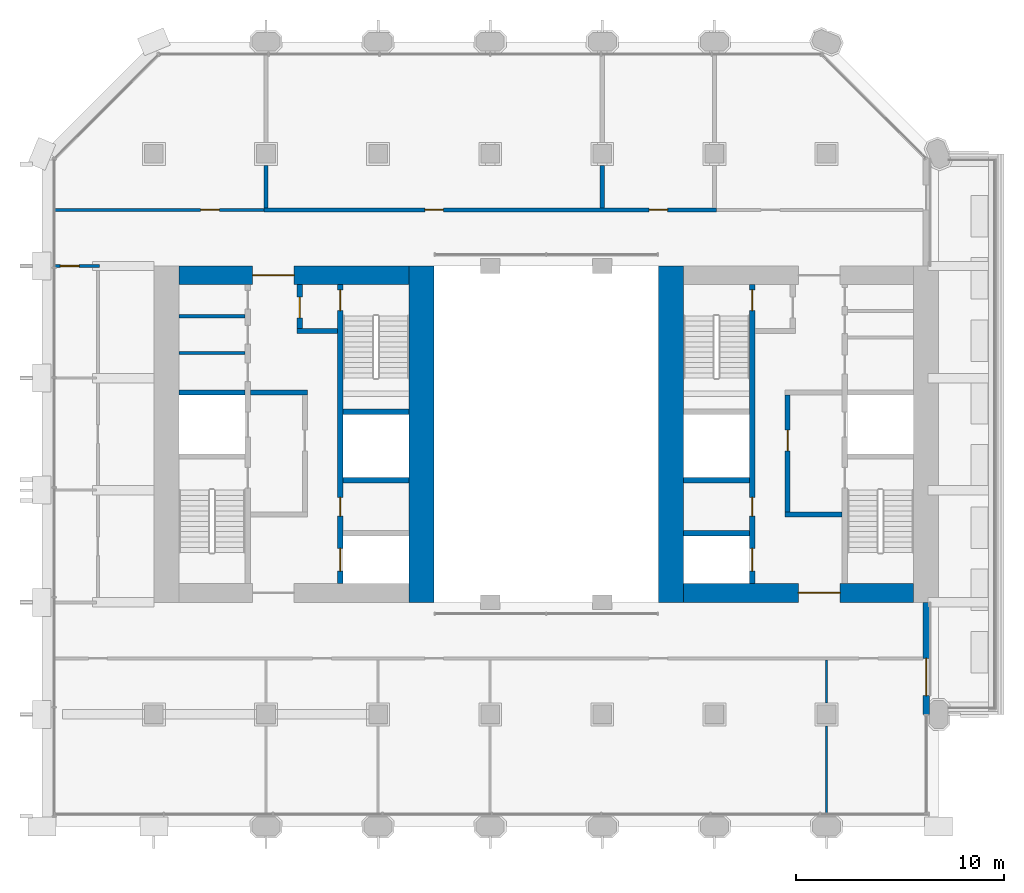
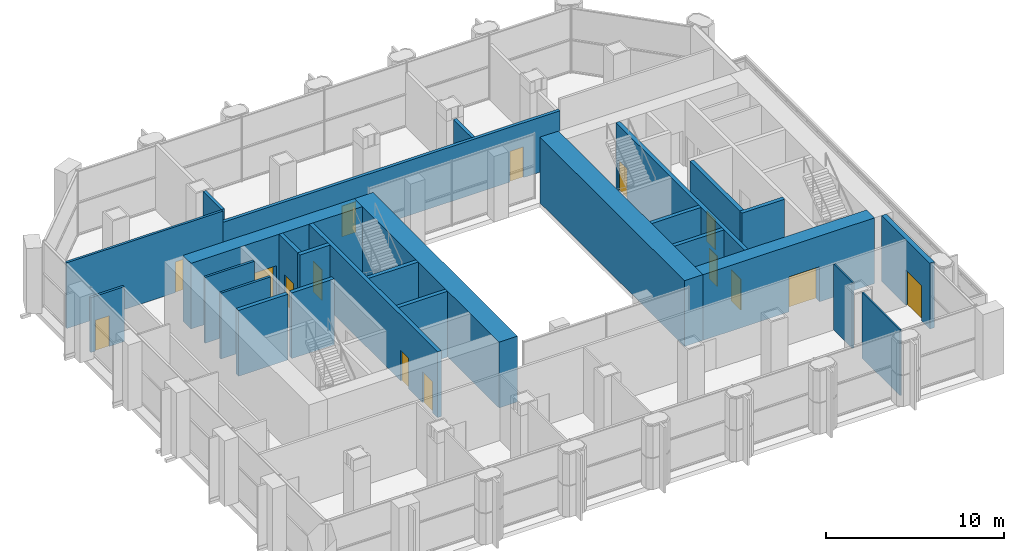
# One storey, part 11 of 15: 26 walls, 15 doors, 15 openings.
"""IFC4 building model written with IfcOpenShell, lengths in metres."""

from ifc_helpers import new_model, si_unit, direction, frame, frame_2d, origin, place, context, subcontext, project, spatial, rectangle, extrude, material, layer, layer_set, type_object, element, fill, save


model = new_model("IFC4")

# Units and contexts
model_context = context("Model", 3, precision=1e-05, world=origin(), true_north=direction((0.0, 1.0)))
body_context = subcontext(model_context, "Body", "Model", "MODEL_VIEW")
ifc_project = project(units=[si_unit("LENGTHUNIT", "METRE"), si_unit("AREAUNIT", "SQUARE_METRE"), si_unit("VOLUMEUNIT", "CUBIC_METRE"), si_unit("PLANEANGLEUNIT", "RADIAN"), si_unit("MASSUNIT", "GRAM", prefix="KILO")], contexts=[model_context])

# Site, building, storey
site_placement = place(None, origin())
site = spatial("IfcSite", under=ifc_project, at=site_placement, CompositionType="ELEMENT")
building_placement = place(site_placement, origin())
building = spatial("IfcBuilding", under=site, at=building_placement, Name="Tabaq Tower and Sports Hall", CompositionType="ELEMENT")
storey_placement = place(building_placement, frame((0.0, 0.0, 143.199951171875)))
storey = spatial("IfcBuildingStorey", under=building, at=storey_placement, Name="L33", CompositionType="ELEMENT", Elevation=143.199951171875)

# Walls
ifc_material_1 = material(Name="Blockwork", Category="masonry")
ifc_layer_1 = layer(ifc_material_1, 0.14990234375)
ifc_layer_set_1 = layer_set([ifc_layer_1], Name="Core room partition 150 Blockwork")
wall_type_1 = type_object("IfcWallType", Name="Core room partition 150 Blockwork", PredefinedType="PARTITIONING", material=ifc_layer_set_1)
for number, where, z_axis, x_axis, name in (
    (1, (6.60009765625, 28.200927734375, 0.0), (0.0, 0.0, 1.0), (1.0, 0.0, 0.0), "Core room partition W L33"),
    (2, (6.60009765625, 29.97705078125, 0.0), (0.0, 0.0, 1.0), (1.0, 0.0, 0.0), "Core room partition W L33"),
):
    element("IfcWall", number, at=place(storey_placement, frame(where, z_axis=z_axis, x_axis=x_axis)), inside=storey, type_object=wall_type_1, Name=name, PredefinedType="PARTITIONING", context=body_context, shape_type="SweptSolid", body=[
        extrude(rectangle(XDim=3.199951171875, YDim=0.14990234375, at=frame_2d((1.60009765625, 0.0))), origin(), (0.0, 0.0, 1.0), 4.5),
    ])
ifc_material_2 = material(Name="Concrete C50/60", Category="concrete")
ifc_layer_2 = layer(ifc_material_2, 1.199951171875)
ifc_layer_set_2 = layer_set([ifc_layer_2], Name="Core wall 1200 Concrete C50/60")
wall_type_2 = type_object("IfcWallType", Name="Core wall 1200 Concrete C50/60", PredefinedType="SOLIDWALL", material=ifc_layer_set_2)
for number, where, z_axis, x_axis, name in (
    (3, (18.300048828125, 32.39990234375, 0.0), (0.0, 0.0, 1.0), (0.0, -1.0, 0.0), "Core wall W L33"),
    (4, (30.300048828125, 16.199951171875, 0.0), (0.0, 0.0, 1.0), (0.0, 1.0, 0.0), "Core wall E L33"),
):
    element("IfcWall", number, at=place(storey_placement, frame(where, z_axis=z_axis, x_axis=x_axis)), inside=storey, type_object=wall_type_2, Name=name, PredefinedType="SOLIDWALL", context=body_context, shape_type="SweptSolid", body=[
        extrude(rectangle(XDim=16.199951171875, YDim=1.199951171875, at=frame_2d((8.10009765625, 0.0))), origin(), (0.0, 0.0, 1.0), 4.5),
    ])

# Wall, opening, door
ifc_material_3 = material(Name="Concrete C50/60", Category="concrete")
ifc_layer_3 = layer(ifc_material_3, 0.89990234375)
ifc_layer_set_3 = layer_set([ifc_layer_3], Name="Core wall 900 Concrete C50/60")
wall_type_3 = type_object("IfcWallType", Name="Core wall 900 Concrete C50/60", PredefinedType="SOLIDWALL", material=ifc_layer_set_3)
wall_1_placement = place(storey_placement, frame((6.60009765625, 31.949951171875, 0.0), z_axis=(0.0, 0.0, 1.0), x_axis=(1.0, 0.0, 0.0)))
wall_1 = element("IfcWall", 5, at=wall_1_placement, inside=storey, type_object=wall_type_3, Name="Core wall W L33", PredefinedType="SOLIDWALL", context=body_context, shape_type="SweptSolid", body=[
    extrude(rectangle(XDim=11.099853515625, YDim=0.89990234375, at=frame_2d((5.5498046875, 0.0))), origin(), (0.0, 0.0, 1.0), 4.5),
])
opening_1_placement = place(wall_1_placement, frame((3.550048828125, 0.0, 0.0)))
opening_1 = element("IfcOpeningElement", 6, at=opening_1_placement, cuts=wall_1, Name="Opening PD-WL33-02", PredefinedType="OPENING", context=body_context, shape_type="SweptSolid", body=[
    extrude(rectangle(XDim=2.0, YDim=2.39990234375, at=frame_2d((1.0, 1.199951171875))), frame((0.0, 0.449951171875, 0.0), z_axis=(0.0, -1.0, 0.0), x_axis=(1.0, 0.0, 0.0)), (0.0, 0.0, 1.0), 0.89990234375),
])
ifc_material_4 = material(Name="Steel fire door", Category="steel")
door_type_1 = type_object("IfcDoorType", Name="Core entrance door 2000", OperationType="DOUBLE_DOOR_SINGLE_SWING", PredefinedType="DOOR", material=ifc_material_4)
door_1_placement = place(opening_1_placement, origin())
door_1 = element("IfcDoor", 7, at=door_1_placement, inside=storey, type_object=door_type_1, Name="Core entrance north W L33", OperationType="DOUBLE_DOOR_SINGLE_SWING", OverallHeight=2.39990234375, OverallWidth=2.0, PredefinedType="DOOR", context=body_context, shape_type="SweptSolid", body=[
    extrude(rectangle(XDim=2.0, YDim=2.39990234375, at=frame_2d((1.0, 1.199951171875))), frame((0.0, 0.02490234375, 0.0), z_axis=(0.0, -1.0, 0.0), x_axis=(1.0, 0.0, 0.0)), (0.0, 0.0, 1.0), 0.050048828125),
])
fill(opening_1, door_1)

wall_2_placement = place(storey_placement, frame((42.0, 16.64990234375, 0.0), z_axis=(0.0, 0.0, 1.0), x_axis=(-1.0, 0.0, 0.0)))
wall_2 = element("IfcWall", 8, at=wall_2_placement, inside=storey, type_object=wall_type_3, Name="Core wall E L33", PredefinedType="SOLIDWALL", context=body_context, shape_type="SweptSolid", body=[
    extrude(rectangle(XDim=11.10009765625, YDim=0.89990234375, at=frame_2d((5.550048828125, 0.0))), origin(), (0.0, 0.0, 1.0), 4.5),
])
opening_2_placement = place(wall_2_placement, frame((3.550048828125, 0.0, 0.0)))
opening_2 = element("IfcOpeningElement", 9, at=opening_2_placement, cuts=wall_2, Name="Opening PD-EL33-01", PredefinedType="OPENING", context=body_context, shape_type="SweptSolid", body=[
    extrude(rectangle(XDim=2.0, YDim=2.39990234375, at=frame_2d((1.0, 1.199951171875))), frame((0.0, 0.449951171875, 0.0), z_axis=(0.0, -1.0, 0.0), x_axis=(1.0, 0.0, 0.0)), (0.0, 0.0, 1.0), 0.89990234375),
])
door_2_placement = place(opening_2_placement, origin())
door_2 = element("IfcDoor", 10, at=door_2_placement, inside=storey, type_object=door_type_1, Name="Core entrance south E L33", OperationType="DOUBLE_DOOR_SINGLE_SWING", OverallHeight=2.39990234375, OverallWidth=2.0, PredefinedType="DOOR", context=body_context, shape_type="SweptSolid", body=[
    extrude(rectangle(XDim=2.0, YDim=2.39990234375, at=frame_2d((1.0, 1.199951171875))), frame((0.0, 0.02490234375, 0.0), z_axis=(0.0, -1.0, 0.0), x_axis=(1.0, 0.0, 0.0)), (0.0, 0.0, 1.0), 0.050048828125),
])
fill(opening_2, door_2)

# Wall, openings, doors
ifc_material_5 = material(Name="Blockwork", Category="masonry")
ifc_layer_4 = layer(ifc_material_5, 0.199951171875)
ifc_layer_set_4 = layer_set([ifc_layer_4], Name="Fire compartment wall 200 Blockwork")
wall_type_4 = type_object("IfcWallType", Name="Fire compartment wall 200 Blockwork", PredefinedType="PARTITIONING", material=ifc_layer_set_4)
wall_3_placement = place(storey_placement, frame((32.5, 35.10009765625, 0.0), z_axis=(0.0, 0.0, 1.0), x_axis=(-1.0, 0.0, 0.0)))
wall_3 = element("IfcWall", 11, at=wall_3_placement, inside=storey, type_object=wall_type_4, Name="Compartment wall L33", PredefinedType="PARTITIONING", context=body_context, shape_type="SweptSolid", body=[
    extrude(rectangle(XDim=21.800048828125, YDim=0.199951171875, at=frame_2d((10.89990234375, 0.0))), origin(), (0.0, 0.0, 1.0), 3.75),
])
opening_3_placement = place(wall_3_placement, frame((13.14990234375, 0.0, 0.0)))
opening_3 = element("IfcOpeningElement", 12, at=opening_3_placement, cuts=wall_3, Name="Opening L33-002", PredefinedType="OPENING", context=body_context, shape_type="SweptSolid", body=[
    extrude(rectangle(XDim=0.89990234375, YDim=2.10009765625, at=frame_2d((0.449951171875, 1.050048828125))), frame((0.0, 0.10009765625, 0.0), z_axis=(0.0, -1.0, 0.0), x_axis=(1.0, 0.0, 0.0)), (0.0, 0.0, 1.0), 0.199951171875),
])
opening_4_placement = place(wall_3_placement, frame((2.35009765625, 0.0, 0.0)))
opening_4 = element("IfcOpeningElement", 13, at=opening_4_placement, cuts=wall_3, Name="Opening L33-003", PredefinedType="OPENING", context=body_context, shape_type="SweptSolid", body=[
    extrude(rectangle(XDim=0.89990234375, YDim=2.10009765625, at=frame_2d((0.449951171875, 1.050048828125))), frame((0.0, 0.10009765625, 0.0), z_axis=(0.0, -1.0, 0.0), x_axis=(1.0, 0.0, 0.0)), (0.0, 0.0, 1.0), 0.199951171875),
])
ifc_material_6 = material(Name="Timber leaf in steel frame", Category="steel")
door_type_2 = type_object("IfcDoorType", Name="Internal door 900 right hand", OperationType="SINGLE_SWING_RIGHT", PredefinedType="DOOR", material=ifc_material_6)
door_3_placement = place(opening_3_placement, origin())
door_3 = element("IfcDoor", 14, at=door_3_placement, inside=storey, type_object=door_type_2, Name="Internal door L33-002", OperationType="SINGLE_SWING_RIGHT", OverallHeight=2.10009765625, OverallWidth=0.89990234375, PredefinedType="DOOR", context=body_context, shape_type="SweptSolid", body=[
    extrude(rectangle(XDim=0.89990234375, YDim=2.10009765625, at=frame_2d((0.449951171875, 1.050048828125))), frame((0.0, 0.02490234375, 0.0), z_axis=(0.0, -1.0, 0.0), x_axis=(1.0, 0.0, 0.0)), (0.0, 0.0, 1.0), 0.050048828125),
])
fill(opening_3, door_3)
ifc_material_7 = material(Name="Steel fire door", Category="steel")
door_type_3 = type_object("IfcDoorType", Name="Plant room door 900 right hand", OperationType="SINGLE_SWING_RIGHT", PredefinedType="DOOR", material=ifc_material_7)
door_4_placement = place(opening_4_placement, origin())
door_4 = element("IfcDoor", 15, at=door_4_placement, inside=storey, type_object=door_type_3, Name="Plant room door L33-003", OperationType="SINGLE_SWING_RIGHT", OverallHeight=2.10009765625, OverallWidth=0.89990234375, PredefinedType="DOOR", context=body_context, shape_type="SweptSolid", body=[
    extrude(rectangle(XDim=0.89990234375, YDim=2.10009765625, at=frame_2d((0.449951171875, 1.050048828125))), frame((0.0, 0.02490234375, 0.0), z_axis=(0.0, -1.0, 0.0), x_axis=(1.0, 0.0, 0.0)), (0.0, 0.0, 1.0), 0.050048828125),
])
fill(opening_4, door_4)

# Walls
wall_4_placement = place(storey_placement, frame((10.800048828125, 35.199951171875, 0.0), z_axis=(0.0, 0.0, 1.0), x_axis=(0.0, 1.0, 0.0)))
element("IfcWall", 16, at=wall_4_placement, inside=storey, type_object=wall_type_4, Name="Compartment wall L33", PredefinedType="PARTITIONING", context=body_context, shape_type="SweptSolid", body=[
    extrude(rectangle(XDim=2.04931640625, YDim=0.199951171875, at=frame_2d((1.024658203125, 0.0))), origin(), (0.0, 0.0, 1.0), 4.5),
])
wall_5_placement = place(storey_placement, frame((27.0, 35.199951171875, 0.0), z_axis=(0.0, 0.0, 1.0), x_axis=(0.0, 1.0, 0.0)))
element("IfcWall", 17, at=wall_5_placement, inside=storey, type_object=wall_type_4, Name="Compartment wall L33", PredefinedType="PARTITIONING", context=body_context, shape_type="SweptSolid", body=[
    extrude(rectangle(XDim=2.04931640625, YDim=0.199951171875, at=frame_2d((1.024658203125, 0.0))), origin(), (0.0, 0.0, 1.0), 3.75),
])
ifc_material_8 = material(Name="Gypsum board on steel studs", Category="steel")
ifc_layer_5 = layer(ifc_material_8, 0.10009765625)
ifc_layer_set_5 = layer_set([ifc_layer_5], Name="Partition 100 Gypsum board")
wall_type_5 = type_object("IfcWallType", Name="Partition 100 Gypsum board", PredefinedType="PARTITIONING", material=ifc_layer_set_5)
wall_6_placement = place(storey_placement, frame((37.800048828125, 6.0, 0.0), z_axis=(0.0, 0.0, 1.0), x_axis=(0.0, 1.0, 0.0)))
element("IfcWall", 18, at=wall_6_placement, inside=storey, type_object=wall_type_5, Name="Partition wall L33", PredefinedType="PARTITIONING", context=body_context, shape_type="SweptSolid", body=[
    extrude(rectangle(XDim=4.249267578125, YDim=0.10009765625, at=frame_2d((2.12451171875, 0.0))), origin(), (0.0, 0.0, 1.0), 4.5),
])
wall_7_placement = place(storey_placement, frame((37.800048828125, 11.3505859375, 0.0), z_axis=(0.0, 0.0, 1.0), x_axis=(0.0, 1.0, 0.0)))
element("IfcWall", 19, at=wall_7_placement, inside=storey, type_object=wall_type_5, Name="Partition wall L33", PredefinedType="PARTITIONING", context=body_context, shape_type="SweptSolid", body=[
    extrude(rectangle(XDim=2.074462890625, YDim=0.10009765625, at=frame_2d((1.037109375, 0.0))), origin(), (0.0, 0.0, 1.0), 4.5),
])

# Wall, opening, door
ifc_material_9 = material(Name="Blockwork", Category="masonry")
ifc_layer_6 = layer(ifc_material_9, 0.14990234375)
ifc_layer_set_6 = layer_set([ifc_layer_6], Name="Separating wall 150 Blockwork")
wall_type_6 = type_object("IfcWallType", Name="Separating wall 150 Blockwork", PredefinedType="PARTITIONING", material=ifc_layer_set_6)
wall_8_placement = place(storey_placement, frame((10.699951171875, 35.10009765625, 0.0), z_axis=(0.0, 0.0, 1.0), x_axis=(-1.0, 0.0, 0.0)))
wall_8 = element("IfcWall", 20, at=wall_8_placement, inside=storey, type_object=wall_type_6, Name="Separating wall L33", PredefinedType="PARTITIONING", context=body_context, shape_type="SweptSolid", body=[
    extrude(rectangle(XDim=10.099853515625, YDim=0.14990234375, at=frame_2d((5.0498046875, 0.0))), origin(), (0.0, 0.0, 1.0), 4.5),
])
opening_5_placement = place(wall_8_placement, frame((2.14990234375, 0.0, 0.0)))
opening_5 = element("IfcOpeningElement", 21, at=opening_5_placement, cuts=wall_8, Name="Opening L33-001", PredefinedType="OPENING", context=body_context, shape_type="SweptSolid", body=[
    extrude(rectangle(XDim=0.89990234375, YDim=2.10009765625, at=frame_2d((0.449951171875, 1.050048828125))), frame((0.0, 0.074951171875, 0.0), z_axis=(0.0, -1.0, 0.0), x_axis=(1.0, 0.0, 0.0)), (0.0, 0.0, 1.0), 0.14990234375),
])
door_5_placement = place(opening_5_placement, origin())
door_5 = element("IfcDoor", 22, at=door_5_placement, inside=storey, type_object=door_type_2, Name="Internal door L33-001", OperationType="SINGLE_SWING_RIGHT", OverallHeight=2.10009765625, OverallWidth=0.89990234375, PredefinedType="DOOR", context=body_context, shape_type="SweptSolid", body=[
    extrude(rectangle(XDim=0.89990234375, YDim=2.10009765625, at=frame_2d((0.449951171875, 1.050048828125))), frame((0.0, 0.02490234375, 0.0), z_axis=(0.0, -1.0, 0.0), x_axis=(1.0, 0.0, 0.0)), (0.0, 0.0, 1.0), 0.050048828125),
])
fill(opening_5, door_5)

wall_9_placement = place(storey_placement, frame((0.60009765625, 32.39990234375, 0.0), z_axis=(0.0, 0.0, 1.0), x_axis=(1.0, 0.0, 0.0)))
wall_9 = element("IfcWall", 23, at=wall_9_placement, inside=storey, type_object=wall_type_6, Name="Separating wall L33", PredefinedType="PARTITIONING", context=body_context, shape_type="SweptSolid", body=[
    extrude(rectangle(XDim=2.1748046875, YDim=0.14990234375, at=frame_2d((1.08740234375, 0.0))), origin(), (0.0, 0.0, 1.0), 3.75),
])
opening_6_placement = place(wall_9_placement, frame((0.300048828125, 0.0, 0.0)))
opening_6 = element("IfcOpeningElement", 24, at=opening_6_placement, cuts=wall_9, Name="Opening L33-012", PredefinedType="OPENING", context=body_context, shape_type="SweptSolid", body=[
    extrude(rectangle(XDim=0.89990234375, YDim=2.10009765625, at=frame_2d((0.449951171875, 1.050048828125))), frame((0.0, 0.074951171875, 0.0), z_axis=(0.0, -1.0, 0.0), x_axis=(1.0, 0.0, 0.0)), (0.0, 0.0, 1.0), 0.14990234375),
])
door_6_placement = place(opening_6_placement, origin())
door_6 = element("IfcDoor", 25, at=door_6_placement, inside=storey, type_object=door_type_2, Name="Internal door L33-012", OperationType="SINGLE_SWING_RIGHT", OverallHeight=2.10009765625, OverallWidth=0.89990234375, PredefinedType="DOOR", context=body_context, shape_type="SweptSolid", body=[
    extrude(rectangle(XDim=0.89990234375, YDim=2.10009765625, at=frame_2d((0.449951171875, 1.050048828125))), frame((0.0, 0.02490234375, 0.0), z_axis=(0.0, -1.0, 0.0), x_axis=(1.0, 0.0, 0.0)), (0.0, 0.0, 1.0), 0.050048828125),
])
fill(opening_6, door_6)

# Wall, openings, doors
ifc_material_10 = material(Name="Concrete C40/50", Category="concrete")
ifc_layer_7 = layer(ifc_material_10, 0.25)
ifc_layer_set_7 = layer_set([ifc_layer_7], Name="Shaft and stair wall 250 Concrete C40/50")
wall_type_7 = type_object("IfcWallType", Name="Shaft and stair wall 250 Concrete C40/50", PredefinedType="SOLIDWALL", material=ifc_layer_set_7)
wall_10_placement = place(storey_placement, frame((14.375, 17.10009765625, 0.0), z_axis=(0.0, 0.0, 1.0), x_axis=(0.0, 1.0, 0.0)))
wall_10 = element("IfcWall", 26, at=wall_10_placement, inside=storey, type_object=wall_type_7, Name="Shaft wall W L33", PredefinedType="SOLIDWALL", context=body_context, shape_type="SweptSolid", body=[
    extrude(rectangle(XDim=14.39990234375, YDim=0.25, at=frame_2d((7.199951171875, 0.0))), origin(), (0.0, 0.0, 1.0), 4.5),
])
opening_7_placement = place(wall_10_placement, frame((13.14990234375, 0.0, 0.0)))
opening_7 = element("IfcOpeningElement", 27, at=opening_7_placement, cuts=wall_10, Name="Opening SD-WL33-05", PredefinedType="OPENING", context=body_context, shape_type="SweptSolid", body=[
    extrude(rectangle(XDim=1.0, YDim=2.10009765625, at=frame_2d((0.5, 1.050048828125))), frame((0.0, 0.125, 0.0), z_axis=(0.0, -1.0, 0.0), x_axis=(1.0, 0.0, 0.0)), (0.0, 0.0, 1.0), 0.25),
])
opening_8_placement = place(wall_10_placement, frame((0.60009765625, 0.0, 0.0)))
opening_8 = element("IfcOpeningElement", 28, at=opening_8_placement, cuts=wall_10, Name="Opening LD-MR1-L33", PredefinedType="OPENING", context=body_context, shape_type="SweptSolid", body=[
    extrude(rectangle(XDim=1.10009765625, YDim=2.10009765625, at=frame_2d((0.550048828125, 1.050048828125))), frame((0.0, 0.125, 0.0), z_axis=(0.0, -1.0, 0.0), x_axis=(1.0, 0.0, 0.0)), (0.0, 0.0, 1.0), 0.25),
])
opening_9_placement = place(wall_10_placement, frame((3.25, 0.0, 0.0)))
opening_9 = element("IfcOpeningElement", 29, at=opening_9_placement, cuts=wall_10, Name="Opening RD-WL33-12", PredefinedType="OPENING", context=body_context, shape_type="SweptSolid", body=[
    extrude(rectangle(XDim=0.89990234375, YDim=2.10009765625, at=frame_2d((0.449951171875, 1.050048828125))), frame((0.0, 0.125, 0.0), z_axis=(0.0, -1.0, 0.0), x_axis=(1.0, 0.0, 0.0)), (0.0, 0.0, 1.0), 0.25),
])
ifc_material_11 = material(Name="Steel fire door", Category="steel")
door_type_4 = type_object("IfcDoorType", Name="Core room door 900", OperationType="SINGLE_SWING_LEFT", PredefinedType="DOOR", material=ifc_material_11)
door_7_placement = place(opening_9_placement, origin())
door_7 = element("IfcDoor", 30, at=door_7_placement, inside=storey, type_object=door_type_4, Name="Door Cleaner's Store W L33", OperationType="SINGLE_SWING_LEFT", OverallHeight=2.10009765625, OverallWidth=0.89990234375, PredefinedType="DOOR", context=body_context, shape_type="SweptSolid", body=[
    extrude(rectangle(XDim=0.89990234375, YDim=2.10009765625, at=frame_2d((0.449951171875, 1.050048828125))), frame((0.0, 0.02490234375, 0.0), z_axis=(0.0, -1.0, 0.0), x_axis=(1.0, 0.0, 0.0)), (0.0, 0.0, 1.0), 0.050048828125),
])
fill(opening_9, door_7)
ifc_material_12 = material(Name="Stainless steel", Category="steel")
door_type_5 = type_object("IfcDoorType", Name="Lift landing door 1100", OperationType="DOUBLE_DOOR_SLIDING", PredefinedType="DOOR", material=ifc_material_12)
door_8_placement = place(opening_8_placement, origin())
door_8 = element("IfcDoor", 31, at=door_8_placement, inside=storey, type_object=door_type_5, Name="Lift landing door MR1 W L33", OperationType="DOUBLE_DOOR_SLIDING", OverallHeight=2.10009765625, OverallWidth=1.10009765625, PredefinedType="DOOR", context=body_context, shape_type="SweptSolid", body=[
    extrude(rectangle(XDim=1.10009765625, YDim=2.10009765625, at=frame_2d((0.550048828125, 1.050048828125))), frame((0.0, 0.02490234375, 0.0), z_axis=(0.0, -1.0, 0.0), x_axis=(1.0, 0.0, 0.0)), (0.0, 0.0, 1.0), 0.050048828125),
])
fill(opening_8, door_8)
ifc_material_13 = material(Name="Steel fire door", Category="steel")
door_type_6 = type_object("IfcDoorType", Name="Stair door 1000", OperationType="SINGLE_SWING_LEFT", PredefinedType="DOOR", material=ifc_material_13)
door_9_placement = place(opening_7_placement, origin())
door_9 = element("IfcDoor", 32, at=door_9_placement, inside=storey, type_object=door_type_6, Name="Stair door ST2 W L33", OperationType="SINGLE_SWING_LEFT", OverallHeight=2.10009765625, OverallWidth=1.0, PredefinedType="DOOR", context=body_context, shape_type="SweptSolid", body=[
    extrude(rectangle(XDim=1.0, YDim=2.10009765625, at=frame_2d((0.5, 1.050048828125))), frame((0.0, 0.02490234375, 0.0), z_axis=(0.0, -1.0, 0.0), x_axis=(1.0, 0.0, 0.0)), (0.0, 0.0, 1.0), 0.050048828125),
])
fill(opening_7, door_9)

# Walls
for number, where, z_axis, x_axis, name in (
    (33, (14.5, 25.375, 0.0), (0.0, 0.0, 1.0), (1.0, 0.0, 0.0), "Stair enclosure wall W L33"),
    (34, (14.5, 22.074951171875, 0.0), (0.0, 0.0, 1.0), (1.0, 0.0, 0.0), "Shaft wall W L33"),
    (35, (6.60009765625, 26.300048828125, 0.0), (0.0, 0.0, 1.0), (1.0, 0.0, 0.0), "Shaft wall W L33"),
):
    element("IfcWall", number, at=place(storey_placement, frame(where, z_axis=z_axis, x_axis=x_axis)), inside=storey, type_object=wall_type_7, Name=name, PredefinedType="SOLIDWALL", context=body_context, shape_type="SweptSolid", body=[
        extrude(rectangle(XDim=3.199951171875, YDim=0.25, at=frame_2d((1.60009765625, 0.0))), origin(), (0.0, 0.0, 1.0), 4.5),
    ])
wall_11_placement = place(storey_placement, frame((10.050048828125, 26.300048828125, 0.0), z_axis=(0.0, 0.0, 1.0), x_axis=(1.0, 0.0, 0.0)))
element("IfcWall", 36, at=wall_11_placement, inside=storey, type_object=wall_type_7, Name="Fire-fighting lobby wall W L33", PredefinedType="SOLIDWALL", context=body_context, shape_type="SweptSolid", body=[
    extrude(rectangle(XDim=2.75, YDim=0.25, at=frame_2d((1.375, 0.0))), origin(), (0.0, 0.0, 1.0), 4.5),
])

# Wall, opening, door
wall_12_placement = place(storey_placement, frame((12.425048828125, 29.39990234375, 0.0), z_axis=(0.0, 0.0, 1.0), x_axis=(0.0, 1.0, 0.0)))
wall_12 = element("IfcWall", 37, at=wall_12_placement, inside=storey, type_object=wall_type_7, Name="Fire-fighting lobby wall W L33", PredefinedType="SOLIDWALL", context=body_context, shape_type="SweptSolid", body=[
    extrude(rectangle(XDim=2.10009765625, YDim=0.25, at=frame_2d((1.050048828125, 0.0))), origin(), (0.0, 0.0, 1.0), 4.5),
])
opening_10_placement = place(wall_12_placement, frame((0.5, 0.0, 0.0)))
opening_10 = element("IfcOpeningElement", 38, at=opening_10_placement, cuts=wall_12, Name="Opening FD-WL33-06", PredefinedType="OPENING", context=body_context, shape_type="SweptSolid", body=[
    extrude(rectangle(XDim=1.0, YDim=2.10009765625, at=frame_2d((0.5, 1.050048828125))), frame((0.0, 0.125, 0.0), z_axis=(0.0, -1.0, 0.0), x_axis=(1.0, 0.0, 0.0)), (0.0, 0.0, 1.0), 0.25),
])
ifc_material_14 = material(Name="Steel fire door", Category="steel")
door_type_7 = type_object("IfcDoorType", Name="Fire-fighting lobby door 1000", OperationType="SINGLE_SWING_LEFT", PredefinedType="DOOR", material=ifc_material_14)
door_10_placement = place(opening_10_placement, origin())
door_10 = element("IfcDoor", 39, at=door_10_placement, inside=storey, type_object=door_type_7, Name="Stair lobby door W L33", OperationType="SINGLE_SWING_LEFT", OverallHeight=2.10009765625, OverallWidth=1.0, PredefinedType="DOOR", context=body_context, shape_type="SweptSolid", body=[
    extrude(rectangle(XDim=1.0, YDim=2.10009765625, at=frame_2d((0.5, 1.050048828125))), frame((0.0, 0.02490234375, 0.0), z_axis=(0.0, -1.0, 0.0), x_axis=(1.0, 0.0, 0.0)), (0.0, 0.0, 1.0), 0.050048828125),
])
fill(opening_10, door_10)

# Wall
wall_13_placement = place(storey_placement, frame((12.300048828125, 29.27490234375, 0.0), z_axis=(0.0, 0.0, 1.0), x_axis=(1.0, 0.0, 0.0)))
element("IfcWall", 40, at=wall_13_placement, inside=storey, type_object=wall_type_7, Name="Fire-fighting lobby wall W L33", PredefinedType="SOLIDWALL", context=body_context, shape_type="SweptSolid", body=[
    extrude(rectangle(XDim=1.949951171875, YDim=0.25, at=frame_2d((0.97509765625, 0.0))), origin(), (0.0, 0.0, 1.0), 4.5),
])

# Wall, openings, doors
wall_14_placement = place(storey_placement, frame((34.22509765625, 17.10009765625, 0.0), z_axis=(0.0, 0.0, 1.0), x_axis=(0.0, 1.0, 0.0)))
wall_14 = element("IfcWall", 41, at=wall_14_placement, inside=storey, type_object=wall_type_7, Name="Shaft wall E L33", PredefinedType="SOLIDWALL", context=body_context, shape_type="SweptSolid", body=[
    extrude(rectangle(XDim=14.39990234375, YDim=0.25, at=frame_2d((7.199951171875, 0.0))), origin(), (0.0, 0.0, 1.0), 4.5),
])
opening_11_placement = place(wall_14_placement, frame((13.14990234375, 0.0, 0.0)))
opening_11 = element("IfcOpeningElement", 42, at=opening_11_placement, cuts=wall_14, Name="Opening SD-EL33-05", PredefinedType="OPENING", context=body_context, shape_type="SweptSolid", body=[
    extrude(rectangle(XDim=1.0, YDim=2.10009765625, at=frame_2d((0.5, 1.050048828125))), frame((0.0, 0.125, 0.0), z_axis=(0.0, -1.0, 0.0), x_axis=(1.0, 0.0, 0.0)), (0.0, 0.0, 1.0), 0.25),
])
opening_12_placement = place(wall_14_placement, frame((0.60009765625, 0.0, 0.0)))
opening_12 = element("IfcOpeningElement", 43, at=opening_12_placement, cuts=wall_14, Name="Opening LD-MR2-L33", PredefinedType="OPENING", context=body_context, shape_type="SweptSolid", body=[
    extrude(rectangle(XDim=1.10009765625, YDim=2.10009765625, at=frame_2d((0.550048828125, 1.050048828125))), frame((0.0, 0.125, 0.0), z_axis=(0.0, -1.0, 0.0), x_axis=(1.0, 0.0, 0.0)), (0.0, 0.0, 1.0), 0.25),
])
opening_13_placement = place(wall_14_placement, frame((3.25, 0.0, 0.0)))
opening_13 = element("IfcOpeningElement", 44, at=opening_13_placement, cuts=wall_14, Name="Opening RD-EL33-12", PredefinedType="OPENING", context=body_context, shape_type="SweptSolid", body=[
    extrude(rectangle(XDim=0.89990234375, YDim=2.10009765625, at=frame_2d((0.449951171875, 1.050048828125))), frame((0.0, 0.125, 0.0), z_axis=(0.0, -1.0, 0.0), x_axis=(1.0, 0.0, 0.0)), (0.0, 0.0, 1.0), 0.25),
])
door_11_placement = place(opening_13_placement, origin())
door_11 = element("IfcDoor", 45, at=door_11_placement, inside=storey, type_object=door_type_4, Name="Door Cleaner's Store E L33", OperationType="SINGLE_SWING_LEFT", OverallHeight=2.10009765625, OverallWidth=0.89990234375, PredefinedType="DOOR", context=body_context, shape_type="SweptSolid", body=[
    extrude(rectangle(XDim=0.89990234375, YDim=2.10009765625, at=frame_2d((0.449951171875, 1.050048828125))), frame((0.0, 0.02490234375, 0.0), z_axis=(0.0, -1.0, 0.0), x_axis=(1.0, 0.0, 0.0)), (0.0, 0.0, 1.0), 0.050048828125),
])
fill(opening_13, door_11)
door_12_placement = place(opening_12_placement, origin())
door_12 = element("IfcDoor", 46, at=door_12_placement, inside=storey, type_object=door_type_5, Name="Lift landing door MR2 E L33", OperationType="DOUBLE_DOOR_SLIDING", OverallHeight=2.10009765625, OverallWidth=1.10009765625, PredefinedType="DOOR", context=body_context, shape_type="SweptSolid", body=[
    extrude(rectangle(XDim=1.10009765625, YDim=2.10009765625, at=frame_2d((0.550048828125, 1.050048828125))), frame((0.0, 0.02490234375, 0.0), z_axis=(0.0, -1.0, 0.0), x_axis=(1.0, 0.0, 0.0)), (0.0, 0.0, 1.0), 0.050048828125),
])
fill(opening_12, door_12)
door_13_placement = place(opening_11_placement, origin())
door_13 = element("IfcDoor", 47, at=door_13_placement, inside=storey, type_object=door_type_6, Name="Stair door ST4 E L33", OperationType="SINGLE_SWING_LEFT", OverallHeight=2.10009765625, OverallWidth=1.0, PredefinedType="DOOR", context=body_context, shape_type="SweptSolid", body=[
    extrude(rectangle(XDim=1.0, YDim=2.10009765625, at=frame_2d((0.5, 1.050048828125))), frame((0.0, 0.02490234375, 0.0), z_axis=(0.0, -1.0, 0.0), x_axis=(1.0, 0.0, 0.0)), (0.0, 0.0, 1.0), 0.050048828125),
])
fill(opening_11, door_13)

# Walls
wall_15_placement = place(storey_placement, frame((30.89990234375, 22.074951171875, 0.0), z_axis=(0.0, 0.0, 1.0), x_axis=(1.0, 0.0, 0.0)))
element("IfcWall", 48, at=wall_15_placement, inside=storey, type_object=wall_type_7, Name="Shaft wall E L33", PredefinedType="SOLIDWALL", context=body_context, shape_type="SweptSolid", body=[
    extrude(rectangle(XDim=3.2001953125, YDim=0.25, at=frame_2d((1.60009765625, 0.0))), origin(), (0.0, 0.0, 1.0), 4.5),
])
wall_16_placement = place(storey_placement, frame((35.800048828125, 20.425048828125, 0.0), z_axis=(0.0, 0.0, 1.0), x_axis=(1.0, 0.0, 0.0)))
element("IfcWall", 49, at=wall_16_placement, inside=storey, type_object=wall_type_7, Name="Fire-fighting lobby wall E L33", PredefinedType="SOLIDWALL", context=body_context, shape_type="SweptSolid", body=[
    extrude(rectangle(XDim=2.75, YDim=0.25, at=frame_2d((1.375, 0.0))), origin(), (0.0, 0.0, 1.0), 4.5),
])

# Wall, opening, door
wall_17_placement = place(storey_placement, frame((35.925048828125, 20.550048828125, 0.0), z_axis=(0.0, 0.0, 1.0), x_axis=(0.0, 1.0, 0.0)))
wall_17 = element("IfcWall", 50, at=wall_17_placement, inside=storey, type_object=wall_type_7, Name="Fire-fighting lobby wall E L33", PredefinedType="SOLIDWALL", context=body_context, shape_type="SweptSolid", body=[
    extrude(rectangle(XDim=5.625, YDim=0.25, at=frame_2d((2.8125, 0.0))), origin(), (0.0, 0.0, 1.0), 4.5),
])
opening_14_placement = place(wall_17_placement, frame((2.949951171875, 0.0, 0.0)))
opening_14 = element("IfcOpeningElement", 51, at=opening_14_placement, cuts=wall_17, Name="Opening FD-EL33-04", PredefinedType="OPENING", context=body_context, shape_type="SweptSolid", body=[
    extrude(rectangle(XDim=1.0, YDim=2.10009765625, at=frame_2d((0.5, 1.050048828125))), frame((0.0, 0.125, 0.0), z_axis=(0.0, -1.0, 0.0), x_axis=(1.0, 0.0, 0.0)), (0.0, 0.0, 1.0), 0.25),
])
door_14_placement = place(opening_14_placement, origin())
door_14 = element("IfcDoor", 52, at=door_14_placement, inside=storey, type_object=door_type_7, Name="Fire-fighting lobby door E L33", OperationType="SINGLE_SWING_LEFT", OverallHeight=2.10009765625, OverallWidth=1.0, PredefinedType="DOOR", context=body_context, shape_type="SweptSolid", body=[
    extrude(rectangle(XDim=1.0, YDim=2.10009765625, at=frame_2d((0.5, 1.050048828125))), frame((0.0, 0.02490234375, 0.0), z_axis=(0.0, -1.0, 0.0), x_axis=(1.0, 0.0, 0.0)), (0.0, 0.0, 1.0), 0.050048828125),
])
fill(opening_14, door_14)

# Wall
wall_18_placement = place(storey_placement, frame((30.89990234375, 19.52490234375, 0.0), z_axis=(0.0, 0.0, 1.0), x_axis=(1.0, 0.0, 0.0)))
element("IfcWall", 53, at=wall_18_placement, inside=storey, type_object=wall_type_7, Name="Shaft wall E L33", PredefinedType="SOLIDWALL", context=body_context, shape_type="SweptSolid", body=[
    extrude(rectangle(XDim=3.2001953125, YDim=0.25, at=frame_2d((1.60009765625, 0.0))), origin(), (0.0, 0.0, 1.0), 4.5),
])

# Wall, opening, door
ifc_material_15 = material(Name="White precast concrete C60/75", Category="concrete")
ifc_layer_8 = layer(ifc_material_15, 0.300048828125)
ifc_layer_set_8 = layer_set([ifc_layer_8], Name="White precast concrete C60/75 external wall 300")
wall_type_8 = type_object("IfcWallType", Name="White precast concrete C60/75 external wall 300", PredefinedType="SOLIDWALL", material=ifc_layer_set_8)
wall_19_placement = place(storey_placement, frame((42.60009765625, 10.800048828125, 0.0), z_axis=(0.0, 0.0, 1.0), x_axis=(0.0, 1.0, 0.0)))
wall_19 = element("IfcWall", 54, at=wall_19_placement, inside=storey, type_object=wall_type_8, Name="External Wall L33 E", PredefinedType="SOLIDWALL", context=body_context, shape_type="SweptSolid", body=[
    extrude(rectangle(XDim=5.39990234375, YDim=0.300048828125, at=frame_2d((2.699951171875, 0.0))), origin(), (0.0, 0.0, 1.0), 4.5),
])
opening_15_placement = place(wall_19_placement, frame((0.89990234375, 0.0, 0.0)))
opening_15 = element("IfcOpeningElement", 55, at=opening_15_placement, cuts=wall_19, Name="Opening TD3301", PredefinedType="OPENING", context=body_context, shape_type="SweptSolid", body=[
    extrude(rectangle(XDim=1.800048828125, YDim=2.39990234375, at=frame_2d((0.89990234375, 1.199951171875))), frame((0.0, 0.16015625, 0.0), z_axis=(0.0, -1.0, 0.0), x_axis=(1.0, 0.0, 0.0)), (0.0, 0.0, 1.0), 0.320068359375),
])
ifc_material_16 = material(Name="Aluminium framed clear glazing", Category="aluminium")
door_type_8 = type_object("IfcDoorType", Name="Terrace door TD1", OperationType="DOUBLE_DOOR_DOUBLE_SWING", PredefinedType="DOOR", material=ifc_material_16)
door_15_placement = place(opening_15_placement, origin())
door_15 = element("IfcDoor", 56, at=door_15_placement, inside=storey, type_object=door_type_8, Name="Terrace door TD3301", OperationType="DOUBLE_DOOR_DOUBLE_SWING", OverallHeight=2.39990234375, OverallWidth=1.800048828125, PredefinedType="DOOR", context=body_context, shape_type="SweptSolid", body=[
    extrude(rectangle(XDim=1.800048828125, YDim=2.39990234375, at=frame_2d((0.89990234375, 1.199951171875))), frame((0.0, 0.02490234375, 0.0), z_axis=(0.0, -1.0, 0.0), x_axis=(1.0, 0.0, 0.0)), (0.0, 0.0, 1.0), 0.050048828125),
])
fill(opening_15, door_15)

save(model, "model.ifc")
